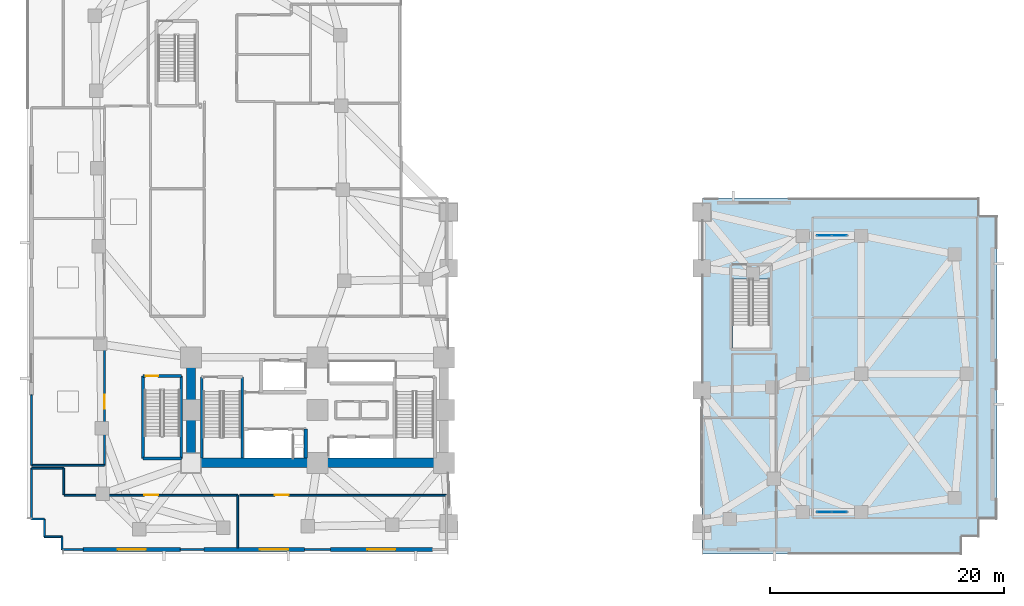
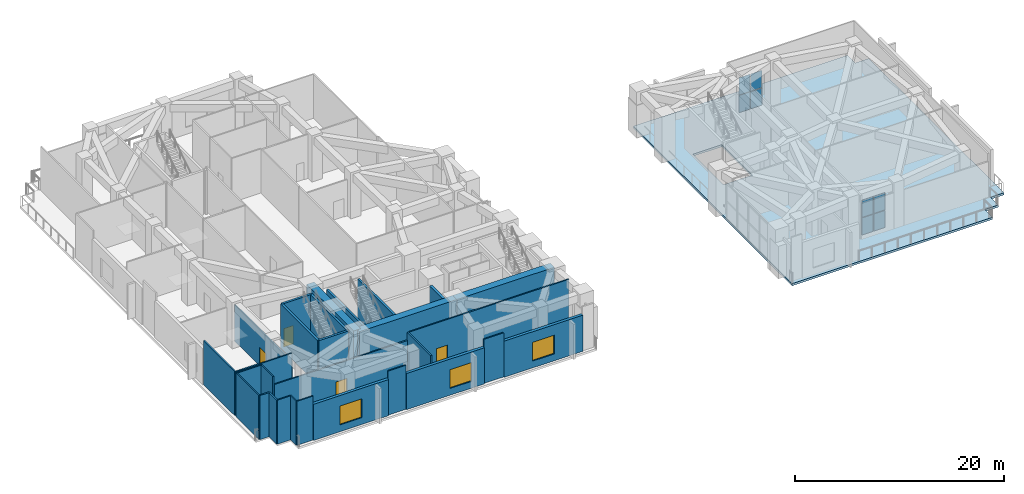
# One storey, part 7 of 18: 29 walls, 8 plates, 4 doors, 3 windows, 1 slab, 7 openings, 2 elements without a shape of their own.
"""IFC4 building model written with IfcOpenShell, lengths in metres."""

from ifc_helpers import new_model, si_unit, direction, frame, frame_2d, origin, origin_2d, place, context, subcontext, project, spatial, polyline, rectangle, outline, extrude, material, layer, layer_set, type_object, element, fill, aggregate, save


model = new_model("IFC4")

# Units and contexts
model_context = context("Model", 3, precision=1e-05, world=origin(), true_north=direction((0.0, 1.0)))
body_context = subcontext(model_context, "Body", "Model", "MODEL_VIEW")
ifc_project = project(units=[si_unit("LENGTHUNIT", "METRE"), si_unit("AREAUNIT", "SQUARE_METRE"), si_unit("VOLUMEUNIT", "CUBIC_METRE"), si_unit("PLANEANGLEUNIT", "RADIAN"), si_unit("MASSUNIT", "GRAM", prefix="KILO")], contexts=[model_context])

# Site, building, storey
site_placement = place(None, origin())
site = spatial("IfcSite", under=ifc_project, at=site_placement, CompositionType="ELEMENT")
building_placement = place(site_placement, origin())
building = spatial("IfcBuilding", under=site, at=building_placement, Name="Gaonmaruhae Medical Tower", CompositionType="ELEMENT")
storey_placement = place(building_placement, frame((0.0, 0.0, 10.800048828125)))
storey = spatial("IfcBuildingStorey", under=building, at=storey_placement, Name="L02", CompositionType="ELEMENT", Elevation=10.800048828125)

# Curtain wall, plates
ifc_material_1 = material(Name="Anodised aluminium and Low-E double glazing", Category="aluminium")
curtain_wall_type = type_object("IfcCurtainWallType", Name="CW-S6 Podium Diagnostic Atrium Curtain Wall", PredefinedType="NOTDEFINED", material=ifc_material_1)
curtain_wall_1_placement = place(storey_placement, origin())
curtain_wall_1 = element("IfcCurtainWall", 1, at=curtain_wall_1_placement, inside=storey, type_object=curtain_wall_type, Name="L02 Curtain Wall CW-L02-S6A", PredefinedType="NOTDEFINED")
ifc_material_2 = material(Name="Low-E double solar glass", Category="glass")
ifc_layer_1 = layer(ifc_material_2, 0.028076171875)
ifc_layer_set_1 = layer_set([ifc_layer_1], Name="Low-E double solar glass")
plate_type = type_object("IfcPlateType", Name="CWP-V1 Low-E Double Vision Glazing Panel", PredefinedType="CURTAIN_PANEL", material=ifc_layer_set_1)
plate_1_placement = place(storey_placement, frame((68.052734375, 27.199951171875, 0.074951171875), z_axis=(0.0, 0.0, 1.0), x_axis=(1.0, 0.0, 0.0)))
plate_1 = element("IfcPlate", 2, at=plate_1_placement, type_object=plate_type, Name="CW-S6 panel 1.1", PredefinedType="CURTAIN_PANEL", context=body_context, shape_type="SweptSolid", body=[
    extrude(rectangle(XDim=1.229248046875, YDim=0.028076171875, at=origin_2d()), origin(), (0.0, 0.0, 1.0), 2.00244140625),
])
plate_2_placement = place(storey_placement, frame((68.052734375, 27.199951171875, 2.152587890625), z_axis=(0.0, 0.0, 1.0), x_axis=(1.0, 0.0, 0.0)))
plate_2 = element("IfcPlate", 3, at=plate_2_placement, type_object=plate_type, Name="CW-S6 panel 1.2", PredefinedType="CURTAIN_PANEL", context=body_context, shape_type="SweptSolid", body=[
    extrude(rectangle(XDim=1.229248046875, YDim=0.028076171875, at=origin_2d()), origin(), (0.0, 0.0, 1.0), 2.00244140625),
])
plate_3_placement = place(storey_placement, frame((69.34716796875, 27.199951171875, 0.074951171875), z_axis=(0.0, 0.0, 1.0), x_axis=(1.0, 0.0, 0.0)))
plate_3 = element("IfcPlate", 4, at=plate_3_placement, type_object=plate_type, Name="CW-S6 panel 2.1", PredefinedType="CURTAIN_PANEL", context=body_context, shape_type="SweptSolid", body=[
    extrude(rectangle(XDim=1.229248046875, YDim=0.028076171875, at=origin_2d()), origin(), (0.0, 0.0, 1.0), 2.00244140625),
])
plate_4_placement = place(storey_placement, frame((69.34716796875, 27.199951171875, 2.152587890625), z_axis=(0.0, 0.0, 1.0), x_axis=(1.0, 0.0, 0.0)))
plate_4 = element("IfcPlate", 5, at=plate_4_placement, type_object=plate_type, Name="CW-S6 panel 2.2", PredefinedType="CURTAIN_PANEL", context=body_context, shape_type="SweptSolid", body=[
    extrude(rectangle(XDim=1.229248046875, YDim=0.028076171875, at=origin_2d()), origin(), (0.0, 0.0, 1.0), 2.00244140625),
])
aggregate(curtain_wall_1, [plate_1, plate_2, plate_3, plate_4])

curtain_wall_2_placement = place(storey_placement, origin())
curtain_wall_2 = element("IfcCurtainWall", 6, at=curtain_wall_2_placement, inside=storey, type_object=curtain_wall_type, Name="L02 Curtain Wall CW-L02-S6B", PredefinedType="NOTDEFINED")
plate_5_placement = place(storey_placement, frame((68.052734375, 3.60009765625, 0.074951171875), z_axis=(0.0, 0.0, 1.0), x_axis=(1.0, 0.0, 0.0)))
plate_5 = element("IfcPlate", 7, at=plate_5_placement, type_object=plate_type, Name="CW-S6 panel 1.1", PredefinedType="CURTAIN_PANEL", context=body_context, shape_type="SweptSolid", body=[
    extrude(rectangle(XDim=1.229248046875, YDim=0.028076171875, at=origin_2d()), origin(), (0.0, 0.0, 1.0), 2.00244140625),
])
plate_6_placement = place(storey_placement, frame((68.052734375, 3.60009765625, 2.152587890625), z_axis=(0.0, 0.0, 1.0), x_axis=(1.0, 0.0, 0.0)))
plate_6 = element("IfcPlate", 8, at=plate_6_placement, type_object=plate_type, Name="CW-S6 panel 1.2", PredefinedType="CURTAIN_PANEL", context=body_context, shape_type="SweptSolid", body=[
    extrude(rectangle(XDim=1.229248046875, YDim=0.028076171875, at=origin_2d()), origin(), (0.0, 0.0, 1.0), 2.00244140625),
])
plate_7_placement = place(storey_placement, frame((69.34716796875, 3.60009765625, 0.074951171875), z_axis=(0.0, 0.0, 1.0), x_axis=(1.0, 0.0, 0.0)))
plate_7 = element("IfcPlate", 9, at=plate_7_placement, type_object=plate_type, Name="CW-S6 panel 2.1", PredefinedType="CURTAIN_PANEL", context=body_context, shape_type="SweptSolid", body=[
    extrude(rectangle(XDim=1.229248046875, YDim=0.028076171875, at=origin_2d()), origin(), (0.0, 0.0, 1.0), 2.00244140625),
])
plate_8_placement = place(storey_placement, frame((69.34716796875, 3.60009765625, 2.152587890625), z_axis=(0.0, 0.0, 1.0), x_axis=(1.0, 0.0, 0.0)))
plate_8 = element("IfcPlate", 10, at=plate_8_placement, type_object=plate_type, Name="CW-S6 panel 2.2", PredefinedType="CURTAIN_PANEL", context=body_context, shape_type="SweptSolid", body=[
    extrude(rectangle(XDim=1.229248046875, YDim=0.028076171875, at=origin_2d()), origin(), (0.0, 0.0, 1.0), 2.00244140625),
])
aggregate(curtain_wall_2, [plate_5, plate_6, plate_7, plate_8])

# Slab
ifc_material_3 = material(Name="Concrete C40/50", Category="concrete")
ifc_layer_2 = layer(ifc_material_3, 0.25)
ifc_layer_set_2 = layer_set([ifc_layer_2], Name="Concrete C40/50")
slab_type = type_object("IfcSlabType", Name="FS-250 Podium & Basement Floor Slab", PredefinedType="FLOOR", material=ifc_layer_set_2)
slab_placement = place(storey_placement, frame((0.0, 0.0, -0.25)))
element("IfcSlab", 11, at=slab_placement, inside=storey, type_object=slab_type, Name="L02 Structural Slab 2", PredefinedType="FLOOR", context=body_context, shape_type="SweptSolid", body=[
    extrude(outline(polyline([(81.300048828125, 30.39990234375), (81.300048828125, 28.89990234375), (82.800048828125, 28.89990234375), (82.800048828125, 3.0), (81.300048828125, 3.0), (81.300048828125, 1.5), (79.800048828125, 1.5), (79.800048828125, 0.0), (57.60009765625, 0.0), (57.60009765625, 30.39990234375), (81.300048828125, 30.39990234375)]), holes=[polyline([(63.39990234375, 23.489990234375), (63.39990234375, 17.60009765625), (60.199951171875, 17.60009765625), (60.199951171875, 23.489990234375), (63.39990234375, 23.489990234375)])]), origin(), (0.0, 0.0, 1.0), 0.25),
])

# Walls
ifc_material_4 = material(Name="Concrete C60/75", Category="concrete")
ifc_layer_3 = layer(ifc_material_4, 0.800048828125)
ifc_layer_set_3 = layer_set([ifc_layer_3], Name="Concrete C60/75")
wall_type_1 = type_object("IfcWallType", Name="CW-800 Lower Core Shear Wall", PredefinedType="SHEAR", material=ifc_layer_set_3)
for number, where, z_axis, x_axis, name in (
    (12, (14.0, 7.800048828125, 0.0), (0.0, 0.0, 1.0), (1.0, 0.0, 0.0), "L02 Core Shear Wall CSW-S1"),
    (13, (24.800048828125, 7.800048828125, 0.0), (0.0, 0.0, 1.0), (1.0, 0.0, 0.0), "L02 Core Shear Wall CSW-S2"),
):
    element("IfcWall", number, at=place(storey_placement, frame(where, z_axis=z_axis, x_axis=x_axis)), inside=storey, type_object=wall_type_1, Name=name, PredefinedType="SHEAR", context=body_context, shape_type="SweptSolid", body=[
        extrude(rectangle(XDim=10.800048828125, YDim=0.800048828125, at=frame_2d((5.39990234375, 0.0))), origin(), (0.0, 0.0, 1.0), 5.14990234375),
    ])
wall_1_placement = place(storey_placement, frame((14.0, 16.800048828125, 0.0), z_axis=(0.0, 0.0, 1.0), x_axis=(0.0, -1.0, 0.0)))
element("IfcWall", 14, at=wall_1_placement, inside=storey, type_object=wall_type_1, Name="L02 Core Shear Wall CSW-W1", PredefinedType="SHEAR", context=body_context, shape_type="SweptSolid", body=[
    extrude(rectangle(XDim=9.0, YDim=0.800048828125, at=frame_2d((4.5, 0.0))), origin(), (0.0, 0.0, 1.0), 5.14990234375),
])

# Wall, opening, window
ifc_material_5 = material(Name="Precast concrete C45/55", Category="concrete")
ifc_layer_4 = layer(ifc_material_5, 0.320068359375)
ifc_layer_set_4 = layer_set([ifc_layer_4], Name="Precast concrete C45/55")
wall_type_2 = type_object("IfcWallType", Name="EW-320 Lower Precast Masonry-Frame Facade Wall", PredefinedType="SOLIDWALL", material=ifc_layer_set_4)
wall_2_placement = place(storey_placement, frame((13.10009765625, 0.39990234375, 0.0), z_axis=(0.0, 0.0, 1.0), x_axis=(-1.0, 0.0, 0.0)))
wall_2 = element("IfcWall", 15, at=wall_2_placement, inside=storey, type_object=wall_type_2, Name="L02 Precast Facade Wall PB-S1", PredefinedType="SOLIDWALL", context=body_context, shape_type="SweptSolid", body=[
    extrude(rectangle(XDim=8.300048828125, YDim=0.320068359375, at=frame_2d((4.14990234375, 0.0))), origin(), (0.0, 0.0, 1.0), 4.22998046875),
])
opening_1_placement = place(wall_2_placement, frame((2.949951171875, 0.0, 0.800048828125)))
opening_1 = element("IfcOpeningElement", 16, at=opening_1_placement, cuts=wall_2, Name="Opening WN-06", PredefinedType="OPENING", context=body_context, shape_type="SweptSolid", body=[
    extrude(rectangle(XDim=2.39990234375, YDim=2.199951171875, at=frame_2d((1.199951171875, 1.10009765625))), frame((0.0, 0.169921875, 0.0), z_axis=(0.0, -1.0, 0.0), x_axis=(1.0, 0.0, 0.0)), (0.0, 0.0, 1.0), 0.340087890625),
])
window_type = type_object("IfcWindowType", Name="WN-06 Podium Diagnostic Punched Window 2400x2200", PartitioningType="SINGLE_PANEL", PredefinedType="WINDOW", material=ifc_material_1)
window_1_placement = place(opening_1_placement, origin())
window_1 = element("IfcWindow", 17, at=window_1_placement, inside=storey, type_object=window_type, Name="L02 Podium Punched Window PB-S1", OverallHeight=2.199951171875, OverallWidth=2.39990234375, PartitioningType="SINGLE_PANEL", PredefinedType="WINDOW", context=body_context, shape_type="SweptSolid", body=[
    extrude(rectangle(XDim=2.39990234375, YDim=2.199951171875, at=frame_2d((1.199951171875, 1.10009765625))), frame((0.0, 0.030029296875, 0.0), z_axis=(0.0, -1.0, 0.0), x_axis=(1.0, 0.0, 0.0)), (0.0, 0.0, 1.0), 0.06005859375),
])
fill(opening_1, window_1)

wall_3_placement = place(storey_placement, frame((23.699951171875, 0.39990234375, 0.0), z_axis=(0.0, 0.0, 1.0), x_axis=(-1.0, 0.0, 0.0)))
wall_3 = element("IfcWall", 18, at=wall_3_placement, inside=storey, type_object=wall_type_2, Name="L02 Precast Facade Wall PB-S2", PredefinedType="SOLIDWALL", context=body_context, shape_type="SweptSolid", body=[
    extrude(rectangle(XDim=8.599853515625, YDim=0.320068359375, at=frame_2d((4.2998046875, 0.0))), origin(), (0.0, 0.0, 1.0), 4.22998046875),
])
opening_2_placement = place(wall_3_placement, frame((1.409912109375, 0.0, 0.800048828125)))
opening_2 = element("IfcOpeningElement", 19, at=opening_2_placement, cuts=wall_3, Name="Opening WN-06", PredefinedType="OPENING", context=body_context, shape_type="SweptSolid", body=[
    extrude(rectangle(XDim=2.39990234375, YDim=2.199951171875, at=frame_2d((1.199951171875, 1.10009765625))), frame((0.0, 0.169921875, 0.0), z_axis=(0.0, -1.0, 0.0), x_axis=(1.0, 0.0, 0.0)), (0.0, 0.0, 1.0), 0.340087890625),
])
window_2_placement = place(opening_2_placement, origin())
window_2 = element("IfcWindow", 20, at=window_2_placement, inside=storey, type_object=window_type, Name="L02 Podium Punched Window PB-S2", OverallHeight=2.199951171875, OverallWidth=2.39990234375, PartitioningType="SINGLE_PANEL", PredefinedType="WINDOW", context=body_context, shape_type="SweptSolid", body=[
    extrude(rectangle(XDim=2.39990234375, YDim=2.199951171875, at=frame_2d((1.199951171875, 1.10009765625))), frame((0.0, 0.030029296875, 0.0), z_axis=(0.0, -1.0, 0.0), x_axis=(1.0, 0.0, 0.0)), (0.0, 0.0, 1.0), 0.06005859375),
])
fill(opening_2, window_2)

wall_4_placement = place(storey_placement, frame((34.60009765625, 0.39990234375, 0.0), z_axis=(0.0, 0.0, 1.0), x_axis=(-1.0, 0.0, 0.0)))
wall_4 = element("IfcWall", 21, at=wall_4_placement, inside=storey, type_object=wall_type_2, Name="L02 Precast Facade Wall PB-S3", PredefinedType="SOLIDWALL", context=body_context, shape_type="SweptSolid", body=[
    extrude(rectangle(XDim=8.7001953125, YDim=0.320068359375, at=frame_2d((4.35009765625, 0.0))), origin(), (0.0, 0.0, 1.0), 4.22998046875),
])
opening_3_placement = place(wall_4_placement, frame((3.14990234375, 0.0, 0.800048828125)))
opening_3 = element("IfcOpeningElement", 22, at=opening_3_placement, cuts=wall_4, Name="Opening WN-06", PredefinedType="OPENING", context=body_context, shape_type="SweptSolid", body=[
    extrude(rectangle(XDim=2.39990234375, YDim=2.199951171875, at=frame_2d((1.199951171875, 1.10009765625))), frame((0.0, 0.169921875, 0.0), z_axis=(0.0, -1.0, 0.0), x_axis=(1.0, 0.0, 0.0)), (0.0, 0.0, 1.0), 0.340087890625),
])
window_3_placement = place(opening_3_placement, origin())
window_3 = element("IfcWindow", 23, at=window_3_placement, inside=storey, type_object=window_type, Name="L02 Podium Punched Window PB-S3", OverallHeight=2.199951171875, OverallWidth=2.39990234375, PartitioningType="SINGLE_PANEL", PredefinedType="WINDOW", context=body_context, shape_type="SweptSolid", body=[
    extrude(rectangle(XDim=2.39990234375, YDim=2.199951171875, at=frame_2d((1.199951171875, 1.10009765625))), frame((0.0, 0.030029296875, 0.0), z_axis=(0.0, -1.0, 0.0), x_axis=(1.0, 0.0, 0.0)), (0.0, 0.0, 1.0), 0.06005859375),
])
fill(opening_3, window_3)

# Wall, opening, door
ifc_material_6 = material(Name="Gypsum board partition", Category="gypsum")
ifc_layer_5 = layer(ifc_material_6, 0.14990234375)
ifc_layer_set_5 = layer_set([ifc_layer_5], Name="Gypsum board partition")
wall_type_3 = type_object("IfcWallType", Name="PW-150 Rated Clinical Corridor Partition", PredefinedType="PARTITIONING", material=ifc_layer_set_5)
wall_5_placement = place(storey_placement, frame((6.6201171875, 18.449951171875, 0.0), z_axis=(0.0, 0.0, 1.0), x_axis=(0.0, -1.0, 0.0)))
wall_5 = element("IfcWall", 24, at=wall_5_placement, inside=storey, type_object=wall_type_3, Name="L02 Interior Partition L02-WP1-9", PredefinedType="PARTITIONING", context=body_context, shape_type="SweptSolid", body=[
    extrude(rectangle(XDim=10.849853515625, YDim=0.14990234375, at=frame_2d((5.4248046875, 0.0))), origin(), (0.0, 0.0, 1.0), 4.23486328125),
])
opening_4_placement = place(wall_5_placement, frame((4.824951171875, 0.0, 0.0)))
opening_4 = element("IfcOpeningElement", 25, at=opening_4_placement, cuts=wall_5, Name="Opening CD-02", PredefinedType="OPENING", context=body_context, shape_type="SweptSolid", body=[
    extrude(rectangle(XDim=1.199951171875, YDim=2.14990234375, at=frame_2d((0.60009765625, 1.074951171875))), frame((0.0, 0.0849609375, 0.0), z_axis=(0.0, -1.0, 0.0), x_axis=(1.0, 0.0, 0.0)), (0.0, 0.0, 1.0), 0.169921875),
])
ifc_material_7 = material(Name="Antimicrobial laminate timber fire door", Category="wood")
door_type_1 = type_object("IfcDoorType", Name="CD-02 Clinical Treatment & Procedure Door 1200x2150", OperationType="NOTDEFINED", PredefinedType="DOOR", material=ifc_material_7)
door_1_placement = place(opening_4_placement, origin())
door_1 = element("IfcDoor", 26, at=door_1_placement, inside=storey, type_object=door_type_1, Name="L02 L02 Outpatient Consultation Clinic A Door", OperationType="SINGLE_SWING_LEFT", OverallHeight=2.14990234375, OverallWidth=1.199951171875, PredefinedType="DOOR", context=body_context, shape_type="SweptSolid", body=[
    extrude(rectangle(XDim=1.199951171875, YDim=2.14990234375, at=frame_2d((0.60009765625, 1.074951171875))), frame((0.0, 0.02490234375, 0.0), z_axis=(0.0, -1.0, 0.0), x_axis=(1.0, 0.0, 0.0)), (0.0, 0.0, 1.0), 0.050048828125),
])
fill(opening_4, door_1)

# Walls
wall_6_placement = place(storey_placement, frame((6.6201171875, 7.60009765625, 0.0), z_axis=(0.0, 0.0, 1.0), x_axis=(-1.0, 0.0, 0.0)))
element("IfcWall", 27, at=wall_6_placement, inside=storey, type_object=wall_type_3, Name="L02 Interior Partition L02-WP1-10", PredefinedType="PARTITIONING", context=body_context, shape_type="SweptSolid", body=[
    extrude(rectangle(XDim=6.22021484375, YDim=0.14990234375, at=frame_2d((3.110107421875, 0.0))), origin(), (0.0, 0.0, 1.0), 5.14990234375),
])
wall_7_placement = place(storey_placement, frame((0.39990234375, 7.60009765625, 0.0), z_axis=(0.0, 0.0, 1.0), x_axis=(0.0, 1.0, 0.0)))
element("IfcWall", 28, at=wall_7_placement, inside=storey, type_object=wall_type_3, Name="L02 Interior Partition L02-WP1-11", PredefinedType="PARTITIONING", context=body_context, shape_type="SweptSolid", body=[
    extrude(rectangle(XDim=6.0, YDim=0.14990234375, at=frame_2d((3.0, 0.0))), origin(), (0.0, 0.0, 1.0), 5.14990234375),
])

# Wall, opening, door
wall_8_placement = place(storey_placement, frame((3.199951171875, 5.0400390625, 0.0), z_axis=(0.0, 0.0, 1.0), x_axis=(1.0, 0.0, 0.0)))
wall_8 = element("IfcWall", 29, at=wall_8_placement, inside=storey, type_object=wall_type_3, Name="L02 Interior Partition L02-D1-40", PredefinedType="PARTITIONING", context=body_context, shape_type="SweptSolid", body=[
    extrude(rectangle(XDim=14.800048828125, YDim=0.14990234375, at=frame_2d((7.39990234375, 0.0))), origin(), (0.0, 0.0, 1.0), 4.23486328125),
])
opening_5_placement = place(wall_8_placement, frame((6.800048828125, 0.0, 0.0)))
opening_5 = element("IfcOpeningElement", 30, at=opening_5_placement, cuts=wall_8, Name="Opening CD-02", PredefinedType="OPENING", context=body_context, shape_type="SweptSolid", body=[
    extrude(rectangle(XDim=1.199951171875, YDim=2.14990234375, at=frame_2d((0.60009765625, 1.074951171875))), frame((0.0, 0.0849609375, 0.0), z_axis=(0.0, -1.0, 0.0), x_axis=(1.0, 0.0, 0.0)), (0.0, 0.0, 1.0), 0.169921875),
])
door_2_placement = place(opening_5_placement, origin())
door_2 = element("IfcDoor", 31, at=door_2_placement, inside=storey, type_object=door_type_1, Name="L02 Diagnostic MRI Imaging Suite Door", OperationType="SINGLE_SWING_RIGHT", OverallHeight=2.14990234375, OverallWidth=1.199951171875, PredefinedType="DOOR", context=body_context, shape_type="SweptSolid", body=[
    extrude(rectangle(XDim=1.199951171875, YDim=2.14990234375, at=frame_2d((0.60009765625, 1.074951171875))), frame((0.0, 0.02490234375, 0.0), z_axis=(0.0, -1.0, 0.0), x_axis=(1.0, 0.0, 0.0)), (0.0, 0.0, 1.0), 0.050048828125),
])
fill(opening_5, door_2)

# Walls
wall_9_placement = place(storey_placement, frame((18.0, 5.0400390625, 0.0), z_axis=(0.0, 0.0, 1.0), x_axis=(0.0, -1.0, 0.0)))
element("IfcWall", 32, at=wall_9_placement, inside=storey, type_object=wall_type_3, Name="L02 Interior Partition L02-D1-41", PredefinedType="PARTITIONING", context=body_context, shape_type="SweptSolid", body=[
    extrude(rectangle(XDim=4.505126953125, YDim=0.14990234375, at=frame_2d((2.25244140625, 0.0))), origin(), (0.0, 0.0, 1.0), 5.14990234375),
])
wall_10_placement = place(storey_placement, frame((15.10009765625, 0.39990234375, 0.0), z_axis=(0.0, 0.0, 1.0), x_axis=(-1.0, 0.0, 0.0)))
element("IfcWall", 33, at=wall_10_placement, inside=storey, type_object=wall_type_3, Name="L02 Interior Partition L02-D1-42", PredefinedType="PARTITIONING", context=body_context, shape_type="SweptSolid", body=[
    extrude(rectangle(XDim=2.0, YDim=0.14990234375, at=frame_2d((1.0, 0.0))), origin(), (0.0, 0.0, 1.0), 5.14990234375),
])
wall_11_placement = place(storey_placement, frame((4.800048828125, 0.39990234375, 0.0), z_axis=(0.0, 0.0, 1.0), x_axis=(-1.0, 0.0, 0.0)))
element("IfcWall", 34, at=wall_11_placement, inside=storey, type_object=wall_type_3, Name="L02 Interior Partition L02-D1-43", PredefinedType="PARTITIONING", context=body_context, shape_type="SweptSolid", body=[
    extrude(rectangle(XDim=1.800048828125, YDim=0.14990234375, at=frame_2d((0.89990234375, 0.0))), origin(), (0.0, 0.0, 1.0), 5.14990234375),
])
wall_12_placement = place(storey_placement, frame((3.0, 0.39990234375, 0.0), z_axis=(0.0, 0.0, 1.0), x_axis=(0.0, 1.0, 0.0)))
element("IfcWall", 35, at=wall_12_placement, inside=storey, type_object=wall_type_3, Name="L02 Interior Partition L02-D1-44", PredefinedType="PARTITIONING", context=body_context, shape_type="SweptSolid", body=[
    extrude(rectangle(XDim=1.10009765625, YDim=0.14990234375, at=frame_2d((0.550048828125, 0.0))), origin(), (0.0, 0.0, 1.0), 5.14990234375),
])
for number, where, z_axis, x_axis, name in (
    (36, (3.0, 1.5, 0.0), (0.0, 0.0, 1.0), (-1.0, 0.0, 0.0), "L02 Interior Partition L02-D1-45"),
    (37, (1.5, 1.5, 0.0), (0.0, 0.0, 1.0), (0.0, 1.0, 0.0), "L02 Interior Partition L02-D1-46"),
):
    element("IfcWall", number, at=place(storey_placement, frame(where, z_axis=z_axis, x_axis=x_axis)), inside=storey, type_object=wall_type_3, Name=name, PredefinedType="PARTITIONING", context=body_context, shape_type="SweptSolid", body=[
        extrude(rectangle(XDim=1.5, YDim=0.14990234375, at=frame_2d((0.75, 0.0))), origin(), (0.0, 0.0, 1.0), 5.14990234375),
    ])
wall_13_placement = place(storey_placement, frame((1.5, 3.0, 0.0), z_axis=(0.0, 0.0, 1.0), x_axis=(-1.0, 0.0, 0.0)))
element("IfcWall", 38, at=wall_13_placement, inside=storey, type_object=wall_type_3, Name="L02 Interior Partition L02-D1-47", PredefinedType="PARTITIONING", context=body_context, shape_type="SweptSolid", body=[
    extrude(rectangle(XDim=1.10009765625, YDim=0.14990234375, at=frame_2d((0.550048828125, 0.0))), origin(), (0.0, 0.0, 1.0), 5.14990234375),
])
wall_14_placement = place(storey_placement, frame((0.39990234375, 3.0, 0.0), z_axis=(0.0, 0.0, 1.0), x_axis=(0.0, 1.0, 0.0)))
element("IfcWall", 39, at=wall_14_placement, inside=storey, type_object=wall_type_3, Name="L02 Interior Partition L02-D1-48", PredefinedType="PARTITIONING", context=body_context, shape_type="SweptSolid", body=[
    extrude(rectangle(XDim=4.35009765625, YDim=0.14990234375, at=frame_2d((2.175048828125, 0.0))), origin(), (0.0, 0.0, 1.0), 5.14990234375),
])
wall_15_placement = place(storey_placement, frame((0.39990234375, 7.35009765625, 0.0), z_axis=(0.0, 0.0, 1.0), x_axis=(1.0, 0.0, 0.0)))
element("IfcWall", 40, at=wall_15_placement, inside=storey, type_object=wall_type_3, Name="L02 Interior Partition L02-D1-49", PredefinedType="PARTITIONING", context=body_context, shape_type="SweptSolid", body=[
    extrude(rectangle(XDim=2.739990234375, YDim=0.14990234375, at=frame_2d((1.3701171875, 0.0))), origin(), (0.0, 0.0, 1.0), 5.14990234375),
])
wall_16_placement = place(storey_placement, frame((3.139892578125, 7.35009765625, 0.0), z_axis=(0.0, 0.0, 1.0), x_axis=(0.0, -1.0, 0.0)))
element("IfcWall", 41, at=wall_16_placement, inside=storey, type_object=wall_type_3, Name="L02 Interior Partition L02-D1-50", PredefinedType="PARTITIONING", context=body_context, shape_type="SweptSolid", body=[
    extrude(rectangle(XDim=2.256103515625, YDim=0.14990234375, at=frame_2d((1.1279296875, 0.0))), origin(), (0.0, 0.0, 1.0), 5.14990234375),
])
wall_17_placement = place(storey_placement, frame((25.89990234375, 0.39990234375, 0.0), z_axis=(0.0, 0.0, 1.0), x_axis=(-1.0, 0.0, 0.0)))
element("IfcWall", 42, at=wall_17_placement, inside=storey, type_object=wall_type_3, Name="L02 Interior Partition L02-D2-52", PredefinedType="PARTITIONING", context=body_context, shape_type="SweptSolid", body=[
    extrude(rectangle(XDim=2.199951171875, YDim=0.14990234375, at=frame_2d((1.10009765625, 0.0))), origin(), (0.0, 0.0, 1.0), 5.14990234375),
])

# Wall, opening, door
wall_18_placement = place(storey_placement, frame((18.14990234375, 5.0400390625, 0.0), z_axis=(0.0, 0.0, 1.0), x_axis=(1.0, 0.0, 0.0)))
wall_18 = element("IfcWall", 43, at=wall_18_placement, inside=storey, type_object=wall_type_3, Name="L02 Interior Partition L02-D2-53", PredefinedType="PARTITIONING", context=body_context, shape_type="SweptSolid", body=[
    extrude(rectangle(XDim=17.650146484375, YDim=0.14990234375, at=frame_2d((8.8251953125, 0.0))), origin(), (0.0, 0.0, 1.0), 5.14990234375),
])
opening_6_placement = place(wall_18_placement, frame((2.981201171875, 0.0, 0.0)))
opening_6 = element("IfcOpeningElement", 44, at=opening_6_placement, cuts=wall_18, Name="Opening CD-02", PredefinedType="OPENING", context=body_context, shape_type="SweptSolid", body=[
    extrude(rectangle(XDim=1.199951171875, YDim=2.14990234375, at=frame_2d((0.60009765625, 1.074951171875))), frame((0.0, 0.0849609375, 0.0), z_axis=(0.0, -1.0, 0.0), x_axis=(1.0, 0.0, 0.0)), (0.0, 0.0, 1.0), 0.169921875),
])
door_3_placement = place(opening_6_placement, origin())
door_3 = element("IfcDoor", 45, at=door_3_placement, inside=storey, type_object=door_type_1, Name="L02 Computed Tomography Radiology Suite Door", OperationType="SINGLE_SWING_RIGHT", OverallHeight=2.14990234375, OverallWidth=1.199951171875, PredefinedType="DOOR", context=body_context, shape_type="SweptSolid", body=[
    extrude(rectangle(XDim=1.199951171875, YDim=2.14990234375, at=frame_2d((0.60009765625, 1.074951171875))), frame((0.0, 0.02490234375, 0.0), z_axis=(0.0, -1.0, 0.0), x_axis=(1.0, 0.0, 0.0)), (0.0, 0.0, 1.0), 0.050048828125),
])
fill(opening_6, door_3)

# Walls
ifc_material_8 = material(Name="Concrete C50/60", Category="concrete")
ifc_layer_6 = layer(ifc_material_8, 0.239990234375)
ifc_layer_set_6 = layer_set([ifc_layer_6], Name="Concrete C50/60")
wall_type_4 = type_object("IfcWallType", Name="SW-240 Dogleg Stair Tight Shaft Wall", PredefinedType="SOLIDWALL", material=ifc_layer_set_6)
for number, where, z_axis, x_axis, name in (
    (46, (18.3798828125, 15.1201171875, 0.0), (0.0, 0.0, 1.0), (0.0, -1.0, 0.0), "L02 ST-01 Stair Shaft Wall SHW-ST-01-E"),
    (47, (14.919921875, 8.199951171875, 0.0), (0.0, 0.0, 1.0), (0.0, 1.0, 0.0), "L02 ST-01 Stair Shaft Wall SHW-ST-01-W"),
):
    element("IfcWall", number, at=place(storey_placement, frame(where, z_axis=z_axis, x_axis=x_axis)), inside=storey, type_object=wall_type_4, Name=name, PredefinedType="SOLIDWALL", context=body_context, shape_type="SweptSolid", body=[
        extrude(rectangle(XDim=6.920166015625, YDim=0.239990234375, at=frame_2d((3.4599609375, 0.0))), origin(), (0.0, 0.0, 1.0), 5.14990234375),
    ])

# Wall, opening, door
wall_19_placement = place(storey_placement, frame((9.919921875, 15.219970703125, 0.0), z_axis=(0.0, 0.0, 1.0), x_axis=(1.0, 0.0, 0.0)))
wall_19 = element("IfcWall", 48, at=wall_19_placement, inside=storey, type_object=wall_type_4, Name="L02 ST-03 Stair Shaft Wall SHW-ST-03-N", PredefinedType="SOLIDWALL", context=body_context, shape_type="SweptSolid", body=[
    extrude(rectangle(XDim=3.260009765625, YDim=0.239990234375, at=frame_2d((1.6298828125, 0.0))), origin(), (0.0, 0.0, 1.0), 5.14990234375),
])
opening_7_placement = place(wall_19_placement, frame((0.219970703125, 0.0, 0.0)))
opening_7 = element("IfcOpeningElement", 49, at=opening_7_placement, cuts=wall_19, Name="Opening FD-02", PredefinedType="OPENING", context=body_context, shape_type="SweptSolid", body=[
    extrude(rectangle(XDim=1.050048828125, YDim=2.14990234375, at=frame_2d((0.52490234375, 1.074951171875))), frame((0.0, 0.1298828125, 0.0), z_axis=(0.0, -1.0, 0.0), x_axis=(1.0, 0.0, 0.0)), (0.0, 0.0, 1.0), 0.260009765625),
])
ifc_material_9 = material(Name="Powder-coated steel fire door", Category="steel")
door_type_2 = type_object("IfcDoorType", Name="FD-02 Secondary Stair Fire Door 1050x2150", OperationType="NOTDEFINED", PredefinedType="DOOR", material=ifc_material_9)
door_4_placement = place(opening_7_placement, origin())
door_4 = element("IfcDoor", 50, at=door_4_placement, inside=storey, type_object=door_type_2, Name="L02 ST-03 Protected Escape Stair Door", OperationType="SINGLE_SWING_RIGHT", OverallHeight=2.14990234375, OverallWidth=1.050048828125, PredefinedType="DOOR", context=body_context, shape_type="SweptSolid", body=[
    extrude(rectangle(XDim=1.050048828125, YDim=2.14990234375, at=frame_2d((0.52490234375, 1.074951171875))), frame((0.0, 0.02490234375, 0.0), z_axis=(0.0, -1.0, 0.0), x_axis=(1.0, 0.0, 0.0)), (0.0, 0.0, 1.0), 0.050048828125),
])
fill(opening_7, door_4)

# Walls
wall_20_placement = place(storey_placement, frame((13.179931640625, 15.219970703125, 0.0), z_axis=(0.0, 0.0, 1.0), x_axis=(0.0, -1.0, 0.0)))
element("IfcWall", 51, at=wall_20_placement, inside=storey, type_object=wall_type_4, Name="L02 ST-03 Stair Shaft Wall SHW-ST-03-E", PredefinedType="SOLIDWALL", context=body_context, shape_type="SweptSolid", body=[
    extrude(rectangle(XDim=7.050048828125, YDim=0.239990234375, at=frame_2d((3.52490234375, 0.0))), origin(), (0.0, 0.0, 1.0), 5.14990234375),
])
wall_21_placement = place(storey_placement, frame((13.179931640625, 8.169921875, 0.0), z_axis=(0.0, 0.0, 1.0), x_axis=(-1.0, 0.0, 0.0)))
element("IfcWall", 52, at=wall_21_placement, inside=storey, type_object=wall_type_4, Name="L02 ST-03 Stair Shaft Wall SHW-ST-03-S", PredefinedType="SOLIDWALL", context=body_context, shape_type="SweptSolid", body=[
    extrude(rectangle(XDim=3.260009765625, YDim=0.239990234375, at=frame_2d((1.6298828125, 0.0))), origin(), (0.0, 0.0, 1.0), 5.14990234375),
])
wall_22_placement = place(storey_placement, frame((9.919921875, 8.169921875, 0.0), z_axis=(0.0, 0.0, 1.0), x_axis=(0.0, 1.0, 0.0)))
element("IfcWall", 53, at=wall_22_placement, inside=storey, type_object=wall_type_4, Name="L02 ST-03 Stair Shaft Wall SHW-ST-03-W", PredefinedType="SOLIDWALL", context=body_context, shape_type="SweptSolid", body=[
    extrude(rectangle(XDim=7.050048828125, YDim=0.239990234375, at=frame_2d((3.52490234375, 0.0))), origin(), (0.0, 0.0, 1.0), 5.14990234375),
])
ifc_layer_7 = layer(ifc_material_8, 0.300048828125)
ifc_layer_set_7 = layer_set([ifc_layer_7], Name="Concrete C50/60")
wall_type_5 = type_object("IfcWallType", Name="SW-300 Stair & Lift Hoistway Shaft Wall", PredefinedType="SOLIDWALL", material=ifc_layer_set_7)
wall_23_placement = place(storey_placement, frame((23.800048828125, 8.199951171875, 0.0), z_axis=(0.0, 0.0, 1.0), x_axis=(0.0, 1.0, 0.0)))
element("IfcWall", 54, at=wall_23_placement, inside=storey, type_object=wall_type_5, Name="L02 Shaft Enclosure Wall SHW-FFE", PredefinedType="SOLIDWALL", context=body_context, shape_type="SweptSolid", body=[
    extrude(rectangle(XDim=2.47998046875, YDim=0.300048828125, at=frame_2d((1.239990234375, 0.0))), origin(), (0.0, 0.0, 1.0), 5.14990234375),
])

save(model, "model.ifc")
